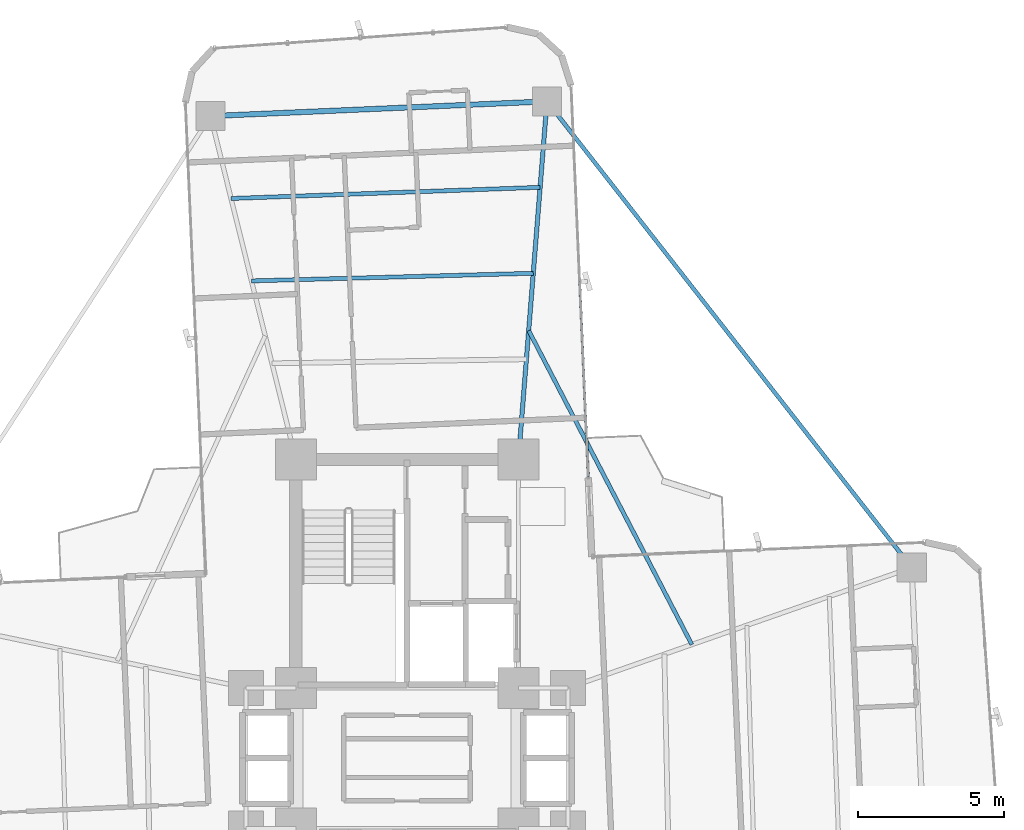
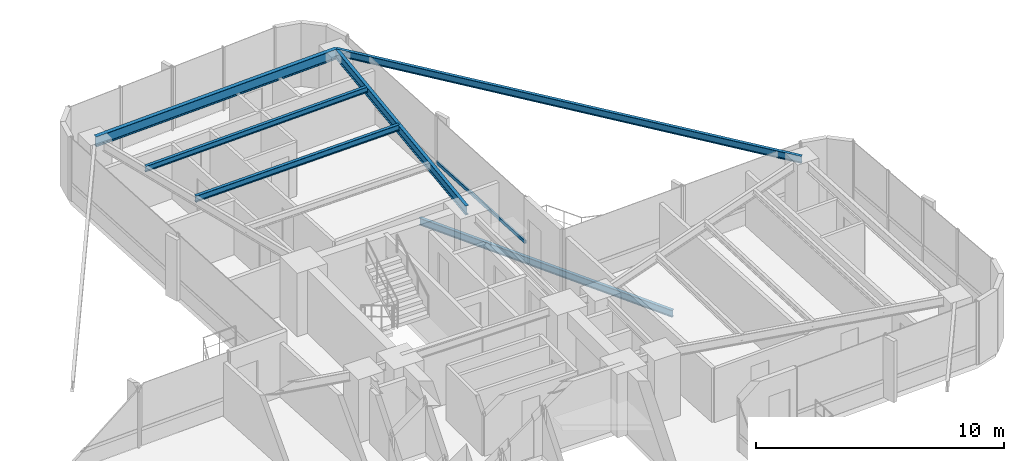
# One storey, part 18 of 26: 6 beams, 1 member, 1 element without a shape of its own.
"""IFC4 building model written with IfcOpenShell, lengths in metres."""

import ifcopenshell
import ifcopenshell.guid

model = None  # the IFC model being written
_history = None  # IfcOwnerHistory: only IFC2X3 demands one
_inside = {}  # id of a spatial element -> (the spatial element, [elements in it])
_under = {}  # id of a project, library or spatial element -> (it, [spatial elements below it])
_declared = {}  # id of a project -> (the project, [libraries it declares])
_typed = {}  # id of a type object -> (the type object, [elements of that type])
_made_of = {}  # id of a material, layer set ... -> (it, [elements and type objects made of it])


def new_model(schema):
    """Start an empty IFC model of exactly this schema.

    Asked for "IFC4X3", IfcOpenShell would pick the latest addendum, in which some entities
    have other attributes; the version numbers below select the first issue.
    IFC2X3 requires an IfcOwnerHistory on every rooted entity: one is made here for all.
    """
    global model, _history
    if schema == "IFC4X3":
        model = ifcopenshell.file(schema_version=(4, 3, 0, 0))
    else:
        model = ifcopenshell.file(schema=schema)
    _inside.clear()
    _under.clear()
    _declared.clear()
    _typed.clear()
    _made_of.clear()
    _history = None
    if model.schema == "IFC2X3":
        org = make("IfcOrganization", Name="unknown")
        user = make(
            "IfcPersonAndOrganization",
            ThePerson=make("IfcPerson", FamilyName="unknown"),
            TheOrganization=org,
        )
        app = make(
            "IfcApplication",
            ApplicationDeveloper=org,
            Version="unknown",
            ApplicationFullName="unknown",
            ApplicationIdentifier="unknown",
        )
        _history = make(
            "IfcOwnerHistory",
            OwningUser=user,
            OwningApplication=app,
            ChangeAction="ADDED",
            CreationDate=0,
        )
    return model


def make(cls, **values):
    """One entity of the class cls with the attributes given. An attribute that is None is left unset."""
    return model.create_entity(
        cls, **{name: value for name, value in values.items() if value is not None}
    )


def rooted(cls, **values):
    """An entity with a GlobalId (a new one), such as an element, a storey or a relation."""
    return make(cls, GlobalId=ifcopenshell.guid.new(), OwnerHistory=_history, **values)


def si_unit(unit_type, name, prefix=None):
    """IfcSIUnit, for example si_unit("LENGTHUNIT", "METRE", prefix="MILLI")."""
    return make("IfcSIUnit", UnitType=unit_type, Prefix=prefix, Name=name)


def assignment(units):
    """IfcUnitAssignment: the units of a project."""
    return None if units is None else make("IfcUnitAssignment", Units=units)


def point(xyz):
    """IfcCartesianPoint."""
    return None if xyz is None else make("IfcCartesianPoint", Coordinates=xyz)


def direction(xyz):
    """IfcDirection."""
    return None if xyz is None else make("IfcDirection", DirectionRatios=xyz)


def frame(location, z_axis=None, x_axis=None):
    """IfcAxis2Placement3D, a coordinate frame: its origin and axes. An axis left out is left unset."""
    return make(
        "IfcAxis2Placement3D",
        Location=point(location),
        Axis=direction(z_axis),
        RefDirection=direction(x_axis),
    )


def frame_2d(location, x_axis=None):
    """IfcAxis2Placement2D, a coordinate frame in the plane: its origin and x axis."""
    return make(
        "IfcAxis2Placement2D", Location=point(location), RefDirection=direction(x_axis)
    )


def origin():
    """The frame at (0, 0, 0) with its axes left unset."""
    return frame((0.0, 0.0, 0.0))


def origin_2d():
    """The frame at (0, 0) in the plane with its x axis left unset."""
    return frame_2d((0.0, 0.0))


def place(relative_to, where):
    """IfcLocalPlacement: puts the frame where relative to a parent placement (None: the world)."""
    return make(
        "IfcLocalPlacement", PlacementRelTo=relative_to, RelativePlacement=where
    )


def context(
    kind, dimensions, precision=None, world=None, true_north=None, identifier=None
):
    """IfcGeometricRepresentationContext, for example the 3D "Model" context."""
    return make(
        "IfcGeometricRepresentationContext",
        ContextIdentifier=identifier,
        ContextType=kind,
        CoordinateSpaceDimension=dimensions,
        Precision=precision,
        WorldCoordinateSystem=world,
        TrueNorth=true_north,
    )


def subcontext(parent, identifier, kind, view, scale=None):
    """IfcGeometricRepresentationSubContext, for example "Body" below "Model"."""
    return make(
        "IfcGeometricRepresentationSubContext",
        ContextIdentifier=identifier,
        ContextType=kind,
        ParentContext=parent,
        TargetScale=scale,
        TargetView=view,
    )


def project(units=None, contexts=None):
    """IfcProject with its units and contexts."""
    return rooted(
        "IfcProject",
        Name="project",
        RepresentationContexts=contexts,
        UnitsInContext=assignment(units),
    )


def spatial(cls, under=None, at=None, **own):
    """A site, building, storey or space (cls), placed at a placement, below another one or the project."""
    s = rooted(cls, ObjectPlacement=at, **own)
    if under is not None:
        _under.setdefault(under.id(), (under, []))[1].append(s)
    return s


def profile(cls, at=None, kind="AREA", **sizes):
    """A parametric profile (cls). Its sizes go by their IFC names, for example OverallWidth=200.0."""
    return make(cls, ProfileType=kind, Position=at, **sizes)


def hollow_rectangle(**sizes):
    """IfcRectangleHollowProfileDef."""
    return profile("IfcRectangleHollowProfileDef", **sizes)


def i_section(**sizes):
    """IfcIShapeProfileDef."""
    return profile("IfcIShapeProfileDef", **sizes)


def extrude(swept, where, along, depth):
    """IfcExtrudedAreaSolid: the profile swept, set in the frame where, extruded along a direction by depth."""
    return make(
        "IfcExtrudedAreaSolid",
        SweptArea=swept,
        Position=where,
        ExtrudedDirection=direction(along),
        Depth=depth,
    )


def shape(context_of_items, identifier, shape_type, items):
    """IfcShapeRepresentation: the items that make up one representation, for example the "Body"."""
    return make(
        "IfcShapeRepresentation",
        ContextOfItems=context_of_items,
        RepresentationIdentifier=identifier,
        RepresentationType=shape_type,
        Items=items,
    )


def source(mapping_origin, context_of_items, identifier, shape_type, items):
    """IfcRepresentationMap: a shape defined once, which mapped items show again and again."""
    return make(
        "IfcRepresentationMap",
        MappingOrigin=mapping_origin,
        MappedRepresentation=shape(context_of_items, identifier, shape_type, items),
    )


def transform(
    local_origin,
    x_axis=None,
    y_axis=None,
    z_axis=None,
    scale=None,
    scale2=None,
    scale3=None,
    uniform=True,
):
    """IfcCartesianTransformationOperator3D, or its non-uniform kind. x_axis, y_axis, z_axis: its Axis1, 2, 3."""
    if uniform:
        return make(
            "IfcCartesianTransformationOperator3D",
            Axis1=direction(x_axis),
            Axis2=direction(y_axis),
            LocalOrigin=point(local_origin),
            Scale=scale,
            Axis3=direction(z_axis),
        )
    return make(
        "IfcCartesianTransformationOperator3DnonUniform",
        Axis1=direction(x_axis),
        Axis2=direction(y_axis),
        LocalOrigin=point(local_origin),
        Scale=scale,
        Axis3=direction(z_axis),
        Scale2=scale2,
        Scale3=scale3,
    )


def mapped(mapping_source, mapping_target):
    """IfcMappedItem: shows the shape of a source again, moved by a transform."""
    return make(
        "IfcMappedItem", MappingSource=mapping_source, MappingTarget=mapping_target
    )


def material(Name=None, Category=None):
    """IfcMaterial."""
    return make("IfcMaterial", Name=Name, Category=Category)


def material_profile(
    of_material, cross_section, Name=None, Category=None, Priority=None
):
    """IfcMaterialProfile: a cross section and its material."""
    return make(
        "IfcMaterialProfile",
        Name=Name,
        Material=of_material,
        Profile=cross_section,
        Priority=Priority,
        Category=Category,
    )


def profile_set(profiles, Name=None, composite=None):
    """IfcMaterialProfileSet."""
    return make(
        "IfcMaterialProfileSet",
        Name=Name,
        MaterialProfiles=profiles,
        CompositeProfile=composite,
    )


def made_of(thing, what):
    """Note that an element or type object is made of a material, layer set ...; save() writes the relation."""
    if what is not None:
        _made_of.setdefault(what.id(), (what, []))[1].append(thing)
    return thing


def type_object(cls, material=None, **own):
    """A type object (cls), such as IfcWallType, which elements share."""
    return made_of(rooted(cls, **own), material)


def element(
    cls,
    number,
    at=None,
    inside=None,
    cuts=None,
    type_object=None,
    material=None,
    context=None,
    identifier="Body",
    shape_type=None,
    held_by="IfcProductDefinitionShape",
    body=None,
    shapes=None,
    **own,
):
    """One element of the class cls, such as IfcWall. Its Tag is "e" and its number.

    at: its placement. inside: the storey or other place that contains it. cuts: it is an
    opening in that element (IfcRelVoidsElement). A single representation is given by context,
    identifier, shape_type and body (its items); several are given by shapes. held_by: the class
    of the entity that holds the representations. save() writes the other relations.
    """
    e = rooted(cls, Tag="e%d" % number, ObjectPlacement=at, **own)
    if body is not None:
        shapes = [shape(context, identifier, shape_type, body)]
    if shapes is not None:
        e.Representation = make(held_by, Representations=shapes)
    if inside is not None:
        _inside.setdefault(inside.id(), (inside, []))[1].append(e)
    if cuts is not None:
        rooted(
            "IfcRelVoidsElement", RelatingBuildingElement=cuts, RelatedOpeningElement=e
        )
    if type_object is not None:
        _typed.setdefault(type_object.id(), (type_object, []))[1].append(e)
    return made_of(e, material)


def aggregate(whole, parts):
    """IfcRelAggregates: a whole, such as a stair, and the parts it consists of."""
    return rooted("IfcRelAggregates", RelatingObject=whole, RelatedObjects=parts)


def save(model, path):
    """Write the relations noted so far, then the file.

    IfcRelAggregates (storeys below a building ...), IfcRelContainedInSpatialStructure (elements
    in a storey), IfcRelDefinesByType, IfcRelAssociatesMaterial and IfcRelDeclares: one each for
    every whole, place, type object, material and project.
    """
    for whole, parts in _under.values():
        aggregate(whole, parts)
    for where, things in _inside.values():
        rooted(
            "IfcRelContainedInSpatialStructure",
            RelatedElements=things,
            RelatingStructure=where,
        )
    for kind, things in _typed.values():
        rooted("IfcRelDefinesByType", RelatedObjects=things, RelatingType=kind)
    for what, things in _made_of.values():
        rooted("IfcRelAssociatesMaterial", RelatedObjects=things, RelatingMaterial=what)
    for by, libraries in _declared.values():
        rooted("IfcRelDeclares", RelatingContext=by, RelatedDefinitions=libraries)
    model.write(path)


model = new_model("IFC4")

# Units and contexts
model_context = context("Model", 3, precision=1e-05, world=origin(), true_north=direction((0.0, 1.0)))
body_context = subcontext(model_context, "Body", "Model", "MODEL_VIEW")
ifc_project = project(units=[si_unit("LENGTHUNIT", "METRE"), si_unit("AREAUNIT", "SQUARE_METRE"), si_unit("VOLUMEUNIT", "CUBIC_METRE"), si_unit("PLANEANGLEUNIT", "RADIAN"), si_unit("MASSUNIT", "GRAM", prefix="KILO")], contexts=[model_context])

# Site, building, storey
site_placement = place(None, origin())
site = spatial("IfcSite", under=ifc_project, at=site_placement, CompositionType="ELEMENT")
building_placement = place(site_placement, origin())
building = spatial("IfcBuilding", under=site, at=building_placement, Name="Sahyath Konkavel Grand Hotel", CompositionType="ELEMENT")
storey_placement = place(building_placement, frame((0.0, 0.0, 100.25)))
storey = spatial("IfcBuildingStorey", under=building, at=storey_placement, Name="L27", CompositionType="ELEMENT", Elevation=100.25)

# Beams
ifc_material_1 = material(Name="Steel E350", Category="steel")
ifc_material_profile_1 = material_profile(ifc_material_1, i_section(OverallWidth=0.14990234375, OverallDepth=0.449951171875, WebThickness=0.009521484375, FlangeThickness=0.017333984375, FilletRadius=0.014892578125, at=origin_2d()), Name="ISMB 450")
ifc_profile_set_1 = profile_set([ifc_material_profile_1], Name="Steel E350")
beam_type_1 = type_object("IfcBeamType", Name="BM-ISMB450", PredefinedType="BEAM", material=ifc_profile_set_1)
shared_shape_1 = source(origin(), body_context, "Body", "SweptSolid", [
    extrude(i_section(OverallWidth=0.14990234375, OverallDepth=0.449951171875, WebThickness=0.009521484375, FlangeThickness=0.017333984375, FilletRadius=0.014892578125, at=origin_2d()), origin(), (0.0, 0.0, 1.0), 12.2685546875),
])
beam_1_placement = place(storey_placement, frame((3.800048828125, 10.199951171875, 2.885009765625), z_axis=(0.079558563357, 0.996830193662, 0.0), x_axis=(-0.996830193662, 0.079558563357, 0.0)))
element("IfcBeam", 1, at=beam_1_placement, inside=storey, type_object=beam_type_1, Name="L27 Cruciform Radial Girder NA", PredefinedType="BEAM", context=body_context, shape_type="MappedRepresentation", body=[
    mapped(shared_shape_1, transform((0.0, 0.0, 0.0), scale=1.0)),
])
ifc_material_profile_2 = material_profile(ifc_material_1, i_section(OverallWidth=0.179931640625, OverallDepth=0.5, WebThickness=0.01025390625, FlangeThickness=0.01708984375, FilletRadius=0.01708984375, at=origin_2d()), Name="ISMB 500")
ifc_profile_set_2 = profile_set([ifc_material_profile_2], Name="Steel E350")
beam_type_2 = type_object("IfcBeamType", Name="BM-ISMB500", PredefinedType="BEAM", material=ifc_profile_set_2)
shared_shape_2 = source(origin(), body_context, "Body", "SweptSolid", [
    extrude(i_section(OverallWidth=0.179931640625, OverallDepth=0.5, WebThickness=0.01025390625, FlangeThickness=0.01708984375, FilletRadius=0.01708984375, at=origin_2d()), origin(), (0.0, 0.0, 1.0), 11.5),
])
beam_2_placement = place(storey_placement, frame((4.776123046875, 22.4296875, 2.860107421875), z_axis=(-0.99904788879, -0.043627008892, 0.0), x_axis=(0.043627008892, -0.99904788879, 0.0)))
element("IfcBeam", 2, at=beam_2_placement, inside=storey, type_object=beam_type_2, Name="L27 Wing Tip Edge Beam N", PredefinedType="BEAM", context=body_context, shape_type="MappedRepresentation", body=[
    mapped(shared_shape_2, transform((0.0, 0.0, 0.0), scale=1.0)),
])
ifc_material_profile_3 = material_profile(ifc_material_1, i_section(OverallWidth=0.139892578125, OverallDepth=0.35009765625, WebThickness=0.008056640625, FlangeThickness=0.01416015625, FilletRadius=0.013916015625, at=origin_2d()), Name="ISMB 350")
ifc_profile_set_3 = profile_set([ifc_material_profile_3], Name="Steel E350")
beam_type_3 = type_object("IfcBeamType", Name="BM-ISMB350", PredefinedType="BEAM", material=ifc_profile_set_3)
shared_shape_3 = source(origin(), body_context, "Body", "SweptSolid", [
    extrude(i_section(OverallWidth=0.139892578125, OverallDepth=0.35009765625, WebThickness=0.008056640625, FlangeThickness=0.01416015625, FilletRadius=0.013916015625, at=origin_2d()), origin(), (0.0, 0.0, 1.0), 20.215576171875),
])
beam_3_placement = place(storey_placement, frame((17.232421875, 6.5078125, 2.93505859375), z_axis=(-0.616176369687, 0.787608203004, 0.0), x_axis=(-0.787608203004, -0.616176369687, 0.0)))
element("IfcBeam", 3, at=beam_3_placement, inside=storey, type_object=beam_type_3, Name="L27 Re-Entrant Tie Beam NE", PredefinedType="BEAM", context=body_context, shape_type="MappedRepresentation", body=[
    mapped(shared_shape_3, transform((0.0, 0.0, 0.0), scale=1.0)),
])
ifc_material_profile_4 = material_profile(ifc_material_1, i_section(OverallWidth=0.139892578125, OverallDepth=0.300048828125, WebThickness=0.0078125, FlangeThickness=0.01318359375, FilletRadius=0.013916015625, at=origin_2d()), Name="ISMB 300")
ifc_profile_set_4 = profile_set([ifc_material_profile_4], Name="Steel E350")
beam_type_4 = type_object("IfcBeamType", Name="BM-ISMB300", PredefinedType="BEAM", material=ifc_profile_set_4)
shared_shape_4 = source(origin(), body_context, "Body", "SweptSolid", [
    extrude(i_section(OverallWidth=0.139892578125, OverallDepth=0.300048828125, WebThickness=0.0078125, FlangeThickness=0.01318359375, FilletRadius=0.013916015625, at=origin_2d()), origin(), (0.0, 0.0, 1.0), 9.625732421875),
])
beam_4_placement = place(storey_placement, frame((4.3076171875, 16.559326171875, 2.9599609375), z_axis=(-0.999633060528, -0.027087714933, 0.0), x_axis=(0.027087714933, -0.999633060528, 0.0)))
element("IfcBeam", 4, at=beam_4_placement, inside=storey, type_object=beam_type_4, Name="L27 Secondary Floor Beam N-2", PredefinedType="BEAM", context=body_context, shape_type="MappedRepresentation", body=[
    mapped(shared_shape_4, transform((0.0, 0.0, 0.0), scale=1.0)),
])
ifc_material_profile_5 = material_profile(ifc_material_1, i_section(OverallWidth=0.139892578125, OverallDepth=0.27490234375, WebThickness=0.00634765625, FlangeThickness=0.0087890625, FilletRadius=0.012939453125, at=origin_2d()), Name="ISLB 275")
ifc_profile_set_5 = profile_set([ifc_material_profile_5], Name="Steel E350")
beam_type_5 = type_object("IfcBeamType", Name="BM-ISLB275", PredefinedType="BEAM", material=ifc_profile_set_5)
shared_shape_5 = source(origin(), body_context, "Body", "SweptSolid", [
    extrude(i_section(OverallWidth=0.139892578125, OverallDepth=0.27490234375, WebThickness=0.00634765625, FlangeThickness=0.0087890625, FilletRadius=0.012939453125, at=origin_2d()), origin(), (0.0, 0.0, 1.0), 10.562744140625),
])
beam_5_placement = place(storey_placement, frame((4.5419921875, 19.49462890625, 2.972412109375), z_axis=(-0.999348077295, -0.036102914095, 0.0), x_axis=(0.036102914095, -0.999348077295, 0.0)))
element("IfcBeam", 5, at=beam_5_placement, inside=storey, type_object=beam_type_5, Name="L27 Secondary Floor Beam N-3", PredefinedType="BEAM", context=body_context, shape_type="MappedRepresentation", body=[
    mapped(shared_shape_5, transform((0.0, 0.0, 0.0), scale=1.0)),
])

# Curtain wall, member
ifc_material_2 = material(Name="Anodised Bronze Aluminium & Low-E Glazing", Category="aluminium")
curtain_wall_type = type_object("IfcCurtainWallType", Name="CW-ZONE2", PredefinedType="NOTDEFINED", material=ifc_material_2)
curtain_wall_placement = place(storey_placement, origin())
curtain_wall = element("IfcCurtainWall", 6, at=curtain_wall_placement, inside=storey, type_object=curtain_wall_type, Name="L27 Unitised Curtain Wall F8", PredefinedType="NOTDEFINED")
ifc_material_3 = material(Name="Anodised Bronze Aluminium", Category="aluminium")
ifc_material_profile_6 = material_profile(ifc_material_3, hollow_rectangle(XDim=0.080078125, YDim=0.159912109375, WallThickness=0.006103515625, at=origin_2d()), Name="RHS 160x80x6")
ifc_profile_set_6 = profile_set([ifc_material_profile_6], Name="Anodised Bronze Aluminium")
member_type = type_object("IfcMemberType", Name="CW-TRN-160", PredefinedType="USERDEFINED", material=ifc_profile_set_6)
shared_shape_6 = source(origin(), body_context, "Body", "SweptSolid", [
    extrude(hollow_rectangle(XDim=0.080078125, YDim=0.159912109375, WallThickness=0.006103515625, at=origin_2d()), origin(), (0.0, 0.0, 1.0), 6.66015625),
])
member_placement = place(storey_placement, frame((6.186279296875, 9.618896484375, 0.85009765625), z_axis=(-0.043621753165, 0.999048118286, 0.0), x_axis=(-0.999048118286, -0.043621753165, 0.0)))
member = element("IfcMember", 7, at=member_placement, type_object=member_type, Name="L27 Curtain Wall Transom F8-0-spandrel", ObjectType="TRANSOM", PredefinedType="USERDEFINED", context=body_context, shape_type="MappedRepresentation", body=[
    mapped(shared_shape_6, transform((0.0, 0.0, 0.0), scale=1.0)),
])
aggregate(curtain_wall, [member])

# Beam
ifc_material_profile_7 = material_profile(ifc_material_1, i_section(OverallWidth=0.139892578125, OverallDepth=0.35009765625, WebThickness=0.008056640625, FlangeThickness=0.01416015625, FilletRadius=0.013916015625, at=origin_2d()), Name="ISMB 350")
ifc_profile_set_7 = profile_set([ifc_material_profile_7], Name="Steel E350")
beam_type_6 = type_object("IfcBeamType", Name="BM-BALC-CANT", PredefinedType="BEAM", material=ifc_profile_set_7)
shared_shape_7 = source(origin(), body_context, "Body", "SweptSolid", [
    extrude(i_section(OverallWidth=0.139892578125, OverallDepth=0.35009765625, WebThickness=0.008056640625, FlangeThickness=0.01416015625, FilletRadius=0.013916015625, at=origin_2d()), origin(), (0.0, 0.0, 1.0), 12.085205078125),
])
beam_6_placement = place(storey_placement, frame((9.7236328125, 3.87890625, -0.4150390625), z_axis=(-0.461082384626, 0.887357331962, 0.0), x_axis=(-0.887357331962, -0.461082384626, 0.0)))
element("IfcBeam", 8, at=beam_6_placement, inside=storey, type_object=beam_type_6, Name="L27 Balcony Cantilever Support Beam NE", PredefinedType="BEAM", context=body_context, shape_type="MappedRepresentation", body=[
    mapped(shared_shape_7, transform((0.0, 0.0, 0.0), scale=1.0)),
])

save(model, "model.ifc")
